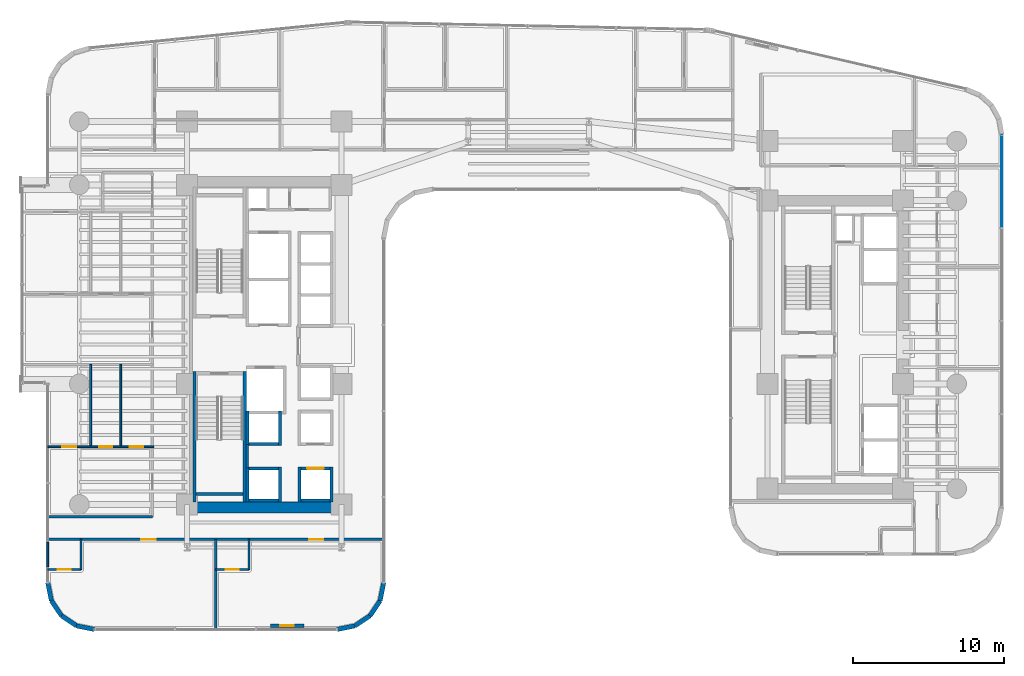
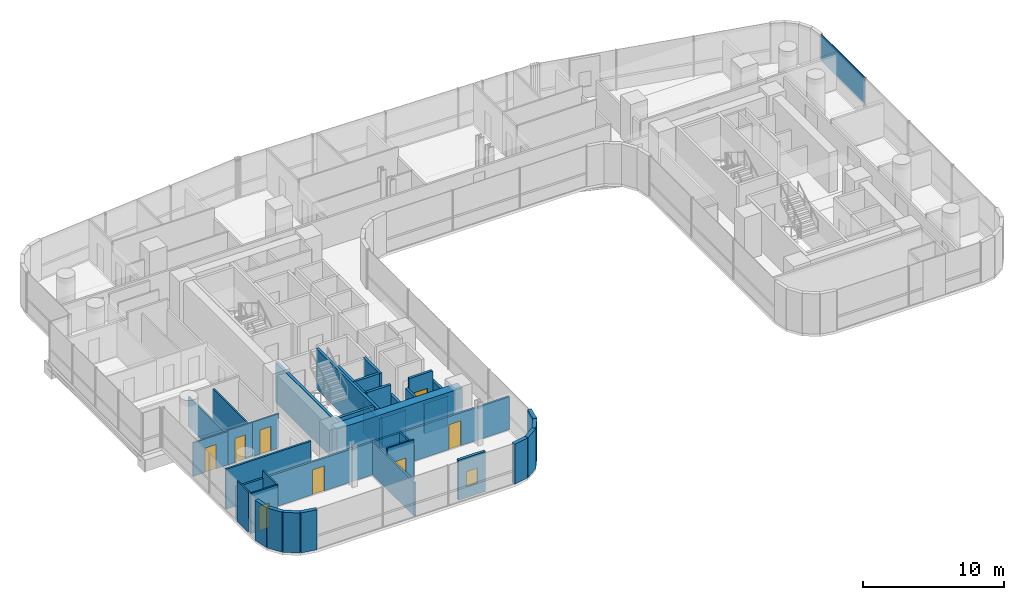
# One storey, part 29 of 40: 38 walls, 8 doors, 1 plate, 1 window, 9 openings, 1 element without a shape of its own.
"""IFC4 building model written with IfcOpenShell, lengths in metres."""

from ifc_helpers import new_model, si_unit, direction, frame, frame_2d, origin, origin_2d, place, context, subcontext, project, spatial, rectangle, extrude, source, transform, mapped, material, layer, layer_set, type_object, element, fill, aggregate, save


model = new_model("IFC4")

# Units and contexts
model_context = context("Model", 3, precision=1e-05, world=origin(), true_north=direction((0.0, 1.0)))
body_context = subcontext(model_context, "Body", "Model", "MODEL_VIEW")
ifc_project = project(units=[si_unit("LENGTHUNIT", "METRE"), si_unit("AREAUNIT", "SQUARE_METRE"), si_unit("VOLUMEUNIT", "CUBIC_METRE"), si_unit("PLANEANGLEUNIT", "RADIAN"), si_unit("MASSUNIT", "GRAM", prefix="KILO")], contexts=[model_context])

# Site, building, storey
site_placement = place(None, origin())
site = spatial("IfcSite", under=ifc_project, at=site_placement, CompositionType="ELEMENT")
building_placement = place(site_placement, origin())
building = spatial("IfcBuilding", under=site, at=building_placement, Name="Valdorenza Pilgrim Sanctuary Tower", CompositionType="ELEMENT")
storey_placement = place(building_placement, frame((0.0, 0.0, 44.5)))
storey = spatial("IfcBuildingStorey", under=building, at=storey_placement, Name="L10", CompositionType="ELEMENT", Elevation=44.5)

# Curtain wall, plate
ifc_material_1 = material(Name="Curtain-wall IGU glazing", Category="glass")
curtain_wall_type = type_object("IfcCurtainWallType", Name="CW-SYS-03", PredefinedType="NOTDEFINED", material=ifc_material_1)
curtain_wall_placement = place(storey_placement, origin())
curtain_wall = element("IfcCurtainWall", 1, at=curtain_wall_placement, inside=storey, type_object=curtain_wall_type, Name="L10 Curtain Wall CW-L10-1-21", PredefinedType="NOTDEFINED")
ifc_material_2 = material(Name="Ceramic-fritted low-E IGU glazing", Category="glass")
ifc_layer_1 = layer(ifc_material_2, 0.035888671875, Name="Ceramic-fritted low-E IGU glazing")
ifc_layer_set_1 = layer_set([ifc_layer_1], Name="Ceramic-fritted low-E IGU glazing")
plate_type = type_object("IfcPlateType", Name="CW-GLZ-IGU", PredefinedType="USERDEFINED", material=ifc_layer_set_1)
shared_shape = source(origin(), body_context, "Body", "SweptSolid", [
    extrude(rectangle(XDim=6.16357421875, YDim=0.050048828125, at=origin_2d()), origin(), (0.0, 0.0, 1.0), 2.320068359375),
])
plate_placement = place(storey_placement, frame((31.389892578125, 10.853271484375, 1.1298828125), z_axis=(0.0, 0.0, 1.0), x_axis=(0.0, -1.0, 0.0)))
plate = element("IfcPlate", 2, at=plate_placement, type_object=plate_type, Name="CW-L10-1-21 Facade Panel 1", ObjectType="GLAZING", PredefinedType="USERDEFINED", context=body_context, shape_type="MappedRepresentation", body=[
    mapped(shared_shape, transform((0.0, 0.0, 0.0), x_axis=(1.0, 0.0, 0.0), y_axis=(0.0, 1.0, 0.0), z_axis=(0.0, 0.0, 1.0), scale=1.0)),
])
aggregate(curtain_wall, [plate])

# Wall
ifc_material_3 = material(Name="Acoustic twin-stud gypsum partition", Category="gypsum")
ifc_layer_2 = layer(ifc_material_3, 0.159912109375, Name="Acoustic twin-stud gypsum partition")
ifc_layer_set_2 = layer_set([ifc_layer_2], Name="Acoustic twin-stud gypsum partition")
wall_type_1 = type_object("IfcWallType", Name="WAL-COR-160", PredefinedType="PARTITIONING", material=ifc_layer_set_2)
wall_1_placement = place(storey_placement, frame((-18.64990234375, -8.179931640625, 0.0), z_axis=(0.0, 0.0, 1.0), x_axis=(0.0, 1.0, 0.0)))
element("IfcWall", 3, at=wall_1_placement, inside=storey, type_object=wall_type_1, Name="L10 Core A South Lift Hall West Wall", PredefinedType="PARTITIONING", context=body_context, shape_type="SweptSolid", body=[
    extrude(rectangle(XDim=1.559814453125, YDim=0.159912109375, at=frame_2d((0.77978515625, 0.0))), origin(), (0.0, 0.0, 1.0), 3.4599609375),
])

# Wall, openings, doors
wall_2_placement = place(storey_placement, frame((-31.889892578125, -12.919921875, 0.0), z_axis=(0.0, 0.0, 1.0), x_axis=(1.0, 0.0, 0.0)))
wall_2 = element("IfcWall", 4, at=wall_2_placement, inside=storey, type_object=wall_type_1, Name="L10 South Wing Corridor Wall", PredefinedType="PARTITIONING", context=body_context, shape_type="SweptSolid", body=[
    extrude(rectangle(XDim=22.27978515625, YDim=0.159912109375, at=frame_2d((11.139892578125, 0.0))), origin(), (0.0, 0.0, 1.0), 2.833984375),
])
opening_1_placement = place(wall_2_placement, frame((6.195068359375, 0.0, 0.0)))
opening_1 = element("IfcOpeningElement", 5, at=opening_1_placement, cuts=wall_2, Name="Opening DR-UN1", PredefinedType="OPENING", context=body_context, shape_type="SweptSolid", body=[
    extrude(rectangle(XDim=0.949951171875, YDim=2.14990234375, at=frame_2d((0.47509765625, 1.074951171875))), frame((0.0, 0.0947265625, 0.0), z_axis=(0.0, -1.0, 0.0), x_axis=(1.0, 0.0, 0.0)), (0.0, 0.0, 1.0), 0.189697265625),
])
opening_2_placement = place(wall_2_placement, frame((17.3349609375, 0.0, 0.0)))
opening_2 = element("IfcOpeningElement", 6, at=opening_2_placement, cuts=wall_2, Name="Opening DR-UN1", PredefinedType="OPENING", context=body_context, shape_type="SweptSolid", body=[
    extrude(rectangle(XDim=0.949951171875, YDim=2.14990234375, at=frame_2d((0.47509765625, 1.074951171875))), frame((0.0, 0.0947265625, 0.0), z_axis=(0.0, -1.0, 0.0), x_axis=(1.0, 0.0, 0.0)), (0.0, 0.0, 1.0), 0.189697265625),
])
ifc_material_4 = material(Name="Solid-core European oak timber", Category="wood")
door_type_1 = type_object("IfcDoorType", Name="DR-UNIT-950", OperationType="NOTDEFINED", PredefinedType="DOOR", material=ifc_material_4)
door_1_placement = place(opening_1_placement, frame((0.949951171875, 0.0, 0.0), z_axis=(0.0, 0.0, 1.0), x_axis=(-1.0, 0.0, 0.0)))
door_1 = element("IfcDoor", 7, at=door_1_placement, inside=storey, type_object=door_type_1, Name="L10 South Sanctuary Guest Room L10-S1A Entrance Door", OperationType="SINGLE_SWING_LEFT", OverallHeight=2.14990234375, OverallWidth=0.949951171875, PredefinedType="DOOR", context=body_context, shape_type="SweptSolid", body=[
    extrude(rectangle(XDim=0.949951171875, YDim=2.14990234375, at=frame_2d((0.47509765625, 1.074951171875))), frame((0.0, 0.02490234375, 0.0), z_axis=(0.0, -1.0, 0.0), x_axis=(1.0, 0.0, 0.0)), (0.0, 0.0, 1.0), 0.050048828125),
])
fill(opening_1, door_1)
door_2_placement = place(opening_2_placement, frame((0.949951171875, 0.0, 0.0), z_axis=(0.0, 0.0, 1.0), x_axis=(-1.0, 0.0, 0.0)))
door_2 = element("IfcDoor", 8, at=door_2_placement, inside=storey, type_object=door_type_1, Name="L10 South Sanctuary Guest Room L10-S1B Entrance Door", OperationType="SINGLE_SWING_LEFT", OverallHeight=2.14990234375, OverallWidth=0.949951171875, PredefinedType="DOOR", context=body_context, shape_type="SweptSolid", body=[
    extrude(rectangle(XDim=0.949951171875, YDim=2.14990234375, at=frame_2d((0.47509765625, 1.074951171875))), frame((0.0, 0.02490234375, 0.0), z_axis=(0.0, -1.0, 0.0), x_axis=(1.0, 0.0, 0.0)), (0.0, 0.0, 1.0), 0.050048828125),
])
fill(opening_2, door_2)

# Walls
wall_3_placement = place(storey_placement, frame((-31.889892578125, -11.419921875, 0.0), z_axis=(0.0, 0.0, 1.0), x_axis=(1.0, 0.0, 0.0)))
element("IfcWall", 9, at=wall_3_placement, inside=storey, type_object=wall_type_1, Name="L10 South-West Corridor North Wall", PredefinedType="PARTITIONING", context=body_context, shape_type="SweptSolid", body=[
    extrude(rectangle(XDim=6.93994140625, YDim=0.159912109375, at=frame_2d((3.469970703125, 0.0))), origin(), (0.0, 0.0, 1.0), 3.4599609375),
])
ifc_material_5 = material(Name="Concrete C60/75", Category="concrete")
ifc_layer_3 = layer(ifc_material_5, 0.699951171875, Name="Concrete C60/75")
ifc_layer_set_3 = layer_set([ifc_layer_3], Name="Concrete C60/75")
wall_type_2 = type_object("IfcWallType", Name="WAL-COR-700", PredefinedType="SHEAR", material=ifc_layer_set_3)
wall_4_placement = place(storey_placement, frame((-22.64990234375, -10.800048828125, 0.0), z_axis=(0.0, 0.0, 1.0), x_axis=(1.0, 0.0, 0.0)))
element("IfcWall", 10, at=wall_4_placement, inside=storey, type_object=wall_type_2, Name="L10 Split Core A Shear Wall S", PredefinedType="SHEAR", context=body_context, shape_type="SweptSolid", body=[
    extrude(rectangle(XDim=10.25, YDim=0.699951171875, at=frame_2d((5.125, 0.0))), origin(), (0.0, 0.0, 1.0), 3.4599609375),
])
ifc_material_6 = material(Name="Honed travertine limestone", Category="masonry")
ifc_layer_4 = layer(ifc_material_6, 0.300048828125, Name="Honed travertine limestone")
ifc_layer_set_4 = layer_set([ifc_layer_4], Name="Honed travertine limestone")
wall_type_3 = type_object("IfcWallType", Name="WAL-EXT-300", PredefinedType="SOLIDWALL", material=ifc_layer_set_4)
wall_5_placement = place(storey_placement, frame((-9.610107421875, -15.789306640625, 0.0), z_axis=(0.0, 0.0, 1.0), x_axis=(-0.194996050505, -0.980804027463, 0.0)))
element("IfcWall", 11, at=wall_5_placement, inside=storey, type_object=wall_type_3, Name="L10 Rounded Wind-Corner Stone Pier 42", PredefinedType="SOLIDWALL", context=body_context, shape_type="SweptSolid", body=[
    extrude(rectangle(XDim=1.2158203125, YDim=0.300048828125, at=frame_2d((0.60791015625, 0.0))), origin(), (0.0, 0.0, 1.0), 3.4599609375),
])
for number, where, z_axis, x_axis, name in (
    (12, (-9.84716796875, -16.981689453125, 0.0), (0.0, 0.0, 1.0), (-0.555635100982, -0.831426265255, 0.0), "L10 Rounded Wind-Corner Stone Pier 43"),
    (13, (-10.5166015625, -17.9833984375, 0.0), (0.0, 0.0, 1.0), (-0.831426265255, -0.555635100982, 0.0), "L10 Rounded Wind-Corner Stone Pier 44"),
):
    element("IfcWall", number, at=place(storey_placement, frame(where, z_axis=z_axis, x_axis=x_axis)), inside=storey, type_object=wall_type_3, Name=name, PredefinedType="SOLIDWALL", context=body_context, shape_type="SweptSolid", body=[
        extrude(rectangle(XDim=1.204833984375, YDim=0.300048828125, at=frame_2d((0.6025390625, 0.0))), origin(), (0.0, 0.0, 1.0), 3.4599609375),
    ])
wall_6_placement = place(storey_placement, frame((-11.518310546875, -18.65283203125, 0.0), z_axis=(0.0, 0.0, 1.0), x_axis=(-0.980804027463, -0.194996050505, 0.0)))
element("IfcWall", 14, at=wall_6_placement, inside=storey, type_object=wall_type_3, Name="L10 Rounded Wind-Corner Stone Pier 45", PredefinedType="SOLIDWALL", context=body_context, shape_type="SweptSolid", body=[
    extrude(rectangle(XDim=1.2158203125, YDim=0.300048828125, at=frame_2d((0.60791015625, 0.0))), origin(), (0.0, 0.0, 1.0), 3.4599609375),
])

# Wall, opening, window
wall_7_placement = place(storey_placement, frame((-14.910888671875, -18.64990234375, 0.0), z_axis=(0.0, 0.0, 1.0), x_axis=(-1.0, 0.0, 0.0)))
wall_7 = element("IfcWall", 15, at=wall_7_placement, inside=storey, type_object=wall_type_3, Name="L10 Operable Ventilation Sash Jamb Pier", PredefinedType="SOLIDWALL", context=body_context, shape_type="SweptSolid", body=[
    extrude(rectangle(XDim=2.199951171875, YDim=0.219970703125, at=frame_2d((1.10009765625, 0.0))), origin(), (0.0, 0.0, 1.0), 3.4599609375),
])
opening_3_placement = place(wall_7_placement, frame((0.64990234375, 0.0, 0.949951171875)))
opening_3 = element("IfcOpeningElement", 16, at=opening_3_placement, cuts=wall_7, Name="Opening WN-OP1", PredefinedType="OPENING", context=body_context, shape_type="SweptSolid", body=[
    extrude(rectangle(XDim=0.89990234375, YDim=1.300048828125, at=frame_2d((0.449951171875, 0.64990234375))), frame((0.0, 0.125, 0.0), z_axis=(0.0, -1.0, 0.0), x_axis=(1.0, 0.0, 0.0)), (0.0, 0.0, 1.0), 0.249755859375),
])
window_type = type_object("IfcWindowType", Name="WIN-OPN-900", PartitioningType="SINGLE_PANEL", PredefinedType="WINDOW", material=ifc_material_2)
window_placement = place(opening_3_placement, origin())
window = element("IfcWindow", 17, at=window_placement, inside=storey, type_object=window_type, Name="L10 Parallel-Pop-Out Operable Facade Panel", OverallHeight=1.300048828125, OverallWidth=0.89990234375, PartitioningType="SINGLE_PANEL", PredefinedType="WINDOW", context=body_context, shape_type="SweptSolid", body=[
    extrude(rectangle(XDim=0.89990234375, YDim=1.300048828125, at=frame_2d((0.449951171875, 0.64990234375))), frame((0.0, 0.030029296875, 0.0), z_axis=(0.0, -1.0, 0.0), x_axis=(1.0, 0.0, 0.0)), (0.0, 0.0, 1.0), 0.06005859375),
])
fill(opening_3, window)

# Walls
wall_8_placement = place(storey_placement, frame((-28.789306640625, -18.889892578125, 0.0), z_axis=(0.0, 0.0, 1.0), x_axis=(-0.980804027463, 0.194996050505, 0.0)))
element("IfcWall", 18, at=wall_8_placement, inside=storey, type_object=wall_type_3, Name="L10 Rounded Wind-Corner Stone Pier 47", PredefinedType="SOLIDWALL", context=body_context, shape_type="SweptSolid", body=[
    extrude(rectangle(XDim=1.2158203125, YDim=0.300048828125, at=frame_2d((0.60791015625, 0.0))), origin(), (0.0, 0.0, 1.0), 3.4599609375),
])
for number, where, z_axis, x_axis, name in (
    (19, (-29.981689453125, -18.65283203125, 0.0), (0.0, 0.0, 1.0), (-0.831426265255, 0.555635100982, 0.0), "L10 Rounded Wind-Corner Stone Pier 48"),
    (20, (-30.9833984375, -17.9833984375, 0.0), (0.0, 0.0, 1.0), (-0.555635100982, 0.831426265255, 0.0), "L10 Rounded Wind-Corner Stone Pier 49"),
):
    element("IfcWall", number, at=place(storey_placement, frame(where, z_axis=z_axis, x_axis=x_axis)), inside=storey, type_object=wall_type_3, Name=name, PredefinedType="SOLIDWALL", context=body_context, shape_type="SweptSolid", body=[
        extrude(rectangle(XDim=1.204833984375, YDim=0.300048828125, at=frame_2d((0.6025390625, 0.0))), origin(), (0.0, 0.0, 1.0), 3.4599609375),
    ])
wall_9_placement = place(storey_placement, frame((-31.65283203125, -16.981689453125, 0.0), z_axis=(0.0, 0.0, 1.0), x_axis=(-0.194996050505, 0.980804027463, 0.0)))
element("IfcWall", 21, at=wall_9_placement, inside=storey, type_object=wall_type_3, Name="L10 Rounded Wind-Corner Stone Pier 50", PredefinedType="SOLIDWALL", context=body_context, shape_type="SweptSolid", body=[
    extrude(rectangle(XDim=1.2158203125, YDim=0.300048828125, at=frame_2d((0.60791015625, 0.0))), origin(), (0.0, 0.0, 1.0), 3.4599609375),
])
ifc_material_7 = material(Name="Moisture-resistant gypsum partition", Category="gypsum")
ifc_layer_5 = layer(ifc_material_7, 0.1201171875, Name="Moisture-resistant gypsum partition")
ifc_layer_set_5 = layer_set([ifc_layer_5], Name="Moisture-resistant gypsum partition")
wall_type_4 = type_object("IfcWallType", Name="WAL-INT-120", PredefinedType="PARTITIONING", material=ifc_layer_set_5)
for number, where, z_axis, x_axis, name in (
    (22, (-27.050048828125, -6.769287109375, 0.0), (0.0, 0.0, 1.0), (0.0, 1.0, 0.0), "L10 Pilgrim Family Flat L10-W1 Bath-Kitchen Wall"),
    (23, (-29.050048828125, -6.769287109375, 0.0), (0.0, 0.0, 1.0), (0.0, 1.0, 0.0), "L10 Pilgrim Family Flat L10-W1 Kitchen-Bedroom Wall"),
):
    element("IfcWall", number, at=place(storey_placement, frame(where, z_axis=z_axis, x_axis=x_axis)), inside=storey, type_object=wall_type_4, Name=name, PredefinedType="PARTITIONING", context=body_context, shape_type="SweptSolid", body=[
        extrude(rectangle(XDim=5.459228515625, YDim=0.1201171875, at=frame_2d((2.7294921875, 0.0))), origin(), (0.0, 0.0, 1.0), 2.5830078125),
    ])

# Wall, opening, door
wall_10_placement = place(storey_placement, frame((-29.050048828125, -6.769287109375, 0.0), z_axis=(0.0, 0.0, 1.0), x_axis=(1.0, 0.0, 0.0)))
wall_10 = element("IfcWall", 24, at=wall_10_placement, inside=storey, type_object=wall_type_4, Name="L10 Pilgrim Family Flat L10-W1 Bathroom Door Wall", PredefinedType="PARTITIONING", context=body_context, shape_type="SweptSolid", body=[
    extrude(rectangle(XDim=2.0, YDim=0.1201171875, at=frame_2d((1.0, 0.0))), origin(), (0.0, 0.0, 1.0), 2.97900390625),
])
opening_4_placement = place(wall_10_placement, frame((0.574951171875, 0.0, 0.0)))
opening_4 = element("IfcOpeningElement", 25, at=opening_4_placement, cuts=wall_10, Name="Opening DR-WC1", PredefinedType="OPENING", context=body_context, shape_type="SweptSolid", body=[
    extrude(rectangle(XDim=0.85009765625, YDim=2.10009765625, at=frame_2d((0.425048828125, 1.050048828125))), frame((0.0, 0.074951171875, 0.0), z_axis=(0.0, -1.0, 0.0), x_axis=(1.0, 0.0, 0.0)), (0.0, 0.0, 1.0), 0.14990234375),
])
ifc_material_8 = material(Name="Moisture-resistant lacquered timber", Category="wood")
door_type_2 = type_object("IfcDoorType", Name="DR-BATH-850", OperationType="NOTDEFINED", PredefinedType="DOOR", material=ifc_material_8)
door_3_placement = place(opening_4_placement, origin())
door_3 = element("IfcDoor", 26, at=door_3_placement, inside=storey, type_object=door_type_2, Name="L10 Pilgrim Family Flat L10-W1 Bathroom Door", OperationType="SINGLE_SWING_RIGHT", OverallHeight=2.10009765625, OverallWidth=0.85009765625, PredefinedType="DOOR", context=body_context, shape_type="SweptSolid", body=[
    extrude(rectangle(XDim=0.85009765625, YDim=2.10009765625, at=frame_2d((0.425048828125, 1.050048828125))), frame((0.0, 0.02490234375, 0.0), z_axis=(0.0, -1.0, 0.0), x_axis=(1.0, 0.0, 0.0)), (0.0, 0.0, 1.0), 0.050048828125),
])
fill(opening_4, door_3)

wall_11_placement = place(storey_placement, frame((-27.050048828125, -6.769287109375, 0.0), z_axis=(0.0, 0.0, 1.0), x_axis=(1.0, 0.0, 0.0)))
wall_11 = element("IfcWall", 27, at=wall_11_placement, inside=storey, type_object=wall_type_4, Name="L10 Pilgrim Family Flat L10-W1 Kitchen Door Wall", PredefinedType="PARTITIONING", context=body_context, shape_type="SweptSolid", body=[
    extrude(rectangle(XDim=2.179931640625, YDim=0.1201171875, at=frame_2d((1.08984375, 0.0))), origin(), (0.0, 0.0, 1.0), 2.97900390625),
])
opening_5_placement = place(wall_11_placement, frame((0.60009765625, 0.0, 0.0)))
opening_5 = element("IfcOpeningElement", 28, at=opening_5_placement, cuts=wall_11, Name="Opening DR-RM1", PredefinedType="OPENING", context=body_context, shape_type="SweptSolid", body=[
    extrude(rectangle(XDim=0.89990234375, YDim=2.10009765625, at=frame_2d((0.449951171875, 1.050048828125))), frame((0.0, 0.074951171875, 0.0), z_axis=(0.0, -1.0, 0.0), x_axis=(1.0, 0.0, 0.0)), (0.0, 0.0, 1.0), 0.14990234375),
])
door_type_3 = type_object("IfcDoorType", Name="DR-ROOM-900", OperationType="NOTDEFINED", PredefinedType="DOOR", material=ifc_material_4)
door_4_placement = place(opening_5_placement, origin())
door_4 = element("IfcDoor", 29, at=door_4_placement, inside=storey, type_object=door_type_3, Name="L10 Pilgrim Family Flat L10-W1 Kitchen Door", OperationType="SINGLE_SWING_LEFT", OverallHeight=2.10009765625, OverallWidth=0.89990234375, PredefinedType="DOOR", context=body_context, shape_type="SweptSolid", body=[
    extrude(rectangle(XDim=0.89990234375, YDim=2.10009765625, at=frame_2d((0.449951171875, 1.050048828125))), frame((0.0, 0.02490234375, 0.0), z_axis=(0.0, -1.0, 0.0), x_axis=(1.0, 0.0, 0.0)), (0.0, 0.0, 1.0), 0.050048828125),
])
fill(opening_5, door_4)

wall_12_placement = place(storey_placement, frame((-31.889892578125, -6.769287109375, 0.0), z_axis=(0.0, 0.0, 1.0), x_axis=(1.0, 0.0, 0.0)))
wall_12 = element("IfcWall", 30, at=wall_12_placement, inside=storey, type_object=wall_type_4, Name="L10 Pilgrim Family Flat L10-W1 Bedroom Door Wall", PredefinedType="PARTITIONING", context=body_context, shape_type="SweptSolid", body=[
    extrude(rectangle(XDim=2.83984375, YDim=0.1201171875, at=frame_2d((1.419921875, 0.0))), origin(), (0.0, 0.0, 1.0), 2.89599609375),
])
opening_6_placement = place(wall_12_placement, frame((0.969970703125, 0.0, 0.0)))
opening_6 = element("IfcOpeningElement", 31, at=opening_6_placement, cuts=wall_12, Name="Opening DR-RM1", PredefinedType="OPENING", context=body_context, shape_type="SweptSolid", body=[
    extrude(rectangle(XDim=0.89990234375, YDim=2.10009765625, at=frame_2d((0.449951171875, 1.050048828125))), frame((0.0, 0.074951171875, 0.0), z_axis=(0.0, -1.0, 0.0), x_axis=(1.0, 0.0, 0.0)), (0.0, 0.0, 1.0), 0.14990234375),
])
door_5_placement = place(opening_6_placement, origin())
door_5 = element("IfcDoor", 32, at=door_5_placement, inside=storey, type_object=door_type_3, Name="L10 Pilgrim Family Flat L10-W1 Bedroom Door", OperationType="SINGLE_SWING_RIGHT", OverallHeight=2.10009765625, OverallWidth=0.89990234375, PredefinedType="DOOR", context=body_context, shape_type="SweptSolid", body=[
    extrude(rectangle(XDim=0.89990234375, YDim=2.10009765625, at=frame_2d((0.449951171875, 1.050048828125))), frame((0.0, 0.02490234375, 0.0), z_axis=(0.0, -1.0, 0.0), x_axis=(1.0, 0.0, 0.0)), (0.0, 0.0, 1.0), 0.050048828125),
])
fill(opening_6, door_5)

# Wall
wall_13_placement = place(storey_placement, frame((-29.68994140625, -14.919921875, 0.0), z_axis=(0.0, 0.0, 1.0), x_axis=(0.0, 1.0, 0.0)))
element("IfcWall", 33, at=wall_13_placement, inside=storey, type_object=wall_type_4, Name="L10 South Sanctuary Guest Room L10-S1A En-suite East Wall", PredefinedType="PARTITIONING", context=body_context, shape_type="SweptSolid", body=[
    extrude(rectangle(XDim=2.0, YDim=0.1201171875, at=frame_2d((1.0, 0.0))), origin(), (0.0, 0.0, 1.0), 3.4599609375),
])

# Wall, opening, door
wall_14_placement = place(storey_placement, frame((-31.889892578125, -14.919921875, 0.0), z_axis=(0.0, 0.0, 1.0), x_axis=(1.0, 0.0, 0.0)))
wall_14 = element("IfcWall", 34, at=wall_14_placement, inside=storey, type_object=wall_type_4, Name="L10 South Sanctuary Guest Room L10-S1A En-suite Door Wall", PredefinedType="PARTITIONING", context=body_context, shape_type="SweptSolid", body=[
    extrude(rectangle(XDim=2.199951171875, YDim=0.1201171875, at=frame_2d((1.10009765625, 0.0))), origin(), (0.0, 0.0, 1.0), 3.4599609375),
])
opening_7_placement = place(wall_14_placement, frame((0.675048828125, 0.0, 0.0)))
opening_7 = element("IfcOpeningElement", 35, at=opening_7_placement, cuts=wall_14, Name="Opening DR-WC1", PredefinedType="OPENING", context=body_context, shape_type="SweptSolid", body=[
    extrude(rectangle(XDim=0.85009765625, YDim=2.10009765625, at=frame_2d((0.425048828125, 1.050048828125))), frame((0.0, 0.074951171875, 0.0), z_axis=(0.0, -1.0, 0.0), x_axis=(1.0, 0.0, 0.0)), (0.0, 0.0, 1.0), 0.14990234375),
])
door_6_placement = place(opening_7_placement, origin())
door_6 = element("IfcDoor", 36, at=door_6_placement, inside=storey, type_object=door_type_2, Name="L10 South Sanctuary Guest Room L10-S1A En-suite Bathroom Door", OperationType="SINGLE_SWING_RIGHT", OverallHeight=2.10009765625, OverallWidth=0.85009765625, PredefinedType="DOOR", context=body_context, shape_type="SweptSolid", body=[
    extrude(rectangle(XDim=0.85009765625, YDim=2.10009765625, at=frame_2d((0.425048828125, 1.050048828125))), frame((0.0, 0.02490234375, 0.0), z_axis=(0.0, -1.0, 0.0), x_axis=(1.0, 0.0, 0.0)), (0.0, 0.0, 1.0), 0.050048828125),
])
fill(opening_7, door_6)

# Walls
wall_15_placement = place(storey_placement, frame((-31.889892578125, -14.739990234375, 0.0), z_axis=(0.0, 0.0, 1.0), x_axis=(0.0, 1.0, 0.0)))
element("IfcWall", 37, at=wall_15_placement, inside=storey, type_object=wall_type_4, Name="L10 SW-FL1A-ENS Enclosure Wall W", PredefinedType="PARTITIONING", context=body_context, shape_type="SweptSolid", body=[
    extrude(rectangle(XDim=1.619873046875, YDim=0.1201171875, at=frame_2d((0.81005859375, 0.0))), origin(), (0.0, 0.0, 1.0), 3.4599609375),
])
wall_16_placement = place(storey_placement, frame((-18.550048828125, -14.919921875, 0.0), z_axis=(0.0, 0.0, 1.0), x_axis=(0.0, 1.0, 0.0)))
element("IfcWall", 38, at=wall_16_placement, inside=storey, type_object=wall_type_4, Name="L10 South Sanctuary Guest Room L10-S1B En-suite East Wall", PredefinedType="PARTITIONING", context=body_context, shape_type="SweptSolid", body=[
    extrude(rectangle(XDim=2.0, YDim=0.1201171875, at=frame_2d((1.0, 0.0))), origin(), (0.0, 0.0, 1.0), 2.89599609375),
])

# Wall, opening, door
wall_17_placement = place(storey_placement, frame((-20.75, -14.919921875, 0.0), z_axis=(0.0, 0.0, 1.0), x_axis=(1.0, 0.0, 0.0)))
wall_17 = element("IfcWall", 39, at=wall_17_placement, inside=storey, type_object=wall_type_4, Name="L10 South Sanctuary Guest Room L10-S1B En-suite Door Wall", PredefinedType="PARTITIONING", context=body_context, shape_type="SweptSolid", body=[
    extrude(rectangle(XDim=2.199951171875, YDim=0.1201171875, at=frame_2d((1.10009765625, 0.0))), origin(), (0.0, 0.0, 1.0), 3.4599609375),
])
opening_8_placement = place(wall_17_placement, frame((0.675048828125, 0.0, 0.0)))
opening_8 = element("IfcOpeningElement", 40, at=opening_8_placement, cuts=wall_17, Name="Opening DR-WC1", PredefinedType="OPENING", context=body_context, shape_type="SweptSolid", body=[
    extrude(rectangle(XDim=0.85009765625, YDim=2.10009765625, at=frame_2d((0.425048828125, 1.050048828125))), frame((0.0, 0.074951171875, 0.0), z_axis=(0.0, -1.0, 0.0), x_axis=(1.0, 0.0, 0.0)), (0.0, 0.0, 1.0), 0.14990234375),
])
door_7_placement = place(opening_8_placement, origin())
door_7 = element("IfcDoor", 41, at=door_7_placement, inside=storey, type_object=door_type_2, Name="L10 South Sanctuary Guest Room L10-S1B En-suite Bathroom Door", OperationType="SINGLE_SWING_RIGHT", OverallHeight=2.10009765625, OverallWidth=0.85009765625, PredefinedType="DOOR", context=body_context, shape_type="SweptSolid", body=[
    extrude(rectangle(XDim=0.85009765625, YDim=2.10009765625, at=frame_2d((0.425048828125, 1.050048828125))), frame((0.0, 0.02490234375, 0.0), z_axis=(0.0, -1.0, 0.0), x_axis=(1.0, 0.0, 0.0)), (0.0, 0.0, 1.0), 0.050048828125),
])
fill(opening_8, door_7)

# Walls
ifc_material_9 = material(Name="Autoclaved aerated concrete blockwork", Category="masonry")
ifc_layer_6 = layer(ifc_material_9, 0.199951171875, Name="Autoclaved aerated concrete blockwork")
ifc_layer_set_6 = layer_set([ifc_layer_6], Name="Autoclaved aerated concrete blockwork")
wall_type_5 = type_object("IfcWallType", Name="WAL-SHF-200", PredefinedType="MOVABLE", material=ifc_layer_set_6)
for number, where, z_axis, x_axis, name in (
    (42, (-15.199951171875, -10.449951171875, 0.0), (0.0, 0.0, 1.0), (0.0, 1.0, 0.0), "L10 Lift PL-01 Hoistway Wall West"),
    (43, (-13.080078125, -10.449951171875, 0.0), (0.0, 0.0, 1.0), (0.0, 1.0, 0.0), "L10 Lift PL-01 Hoistway Wall East"),
):
    element("IfcWall", number, at=place(storey_placement, frame(where, z_axis=z_axis, x_axis=x_axis)), inside=storey, type_object=wall_type_5, Name=name, PredefinedType="MOVABLE", context=body_context, shape_type="SweptSolid", body=[
        extrude(rectangle(XDim=2.349853515625, YDim=0.199951171875, at=frame_2d((1.1748046875, 0.0))), origin(), (0.0, 0.0, 1.0), 2.5830078125),
    ])
wall_18_placement = place(storey_placement, frame((-15.10009765625, -10.35009765625, 0.0), z_axis=(0.0, 0.0, 1.0), x_axis=(1.0, 0.0, 0.0)))
element("IfcWall", 44, at=wall_18_placement, inside=storey, type_object=wall_type_5, Name="L10 Lift PL-01 Hoistway Wall South", PredefinedType="MOVABLE", context=body_context, shape_type="SweptSolid", body=[
    extrude(rectangle(XDim=1.920166015625, YDim=0.199951171875, at=frame_2d((0.9599609375, 0.0))), origin(), (0.0, 0.0, 1.0), 2.5830078125),
])

# Wall, opening, door
wall_19_placement = place(storey_placement, frame((-15.10009765625, -8.199951171875, 0.0), z_axis=(0.0, 0.0, 1.0), x_axis=(1.0, 0.0, 0.0)))
wall_19 = element("IfcWall", 45, at=wall_19_placement, inside=storey, type_object=wall_type_5, Name="L10 Lift PL-01 Hoistway Wall North", PredefinedType="MOVABLE", context=body_context, shape_type="SweptSolid", body=[
    extrude(rectangle(XDim=1.920166015625, YDim=0.199951171875, at=frame_2d((0.9599609375, 0.0))), origin(), (0.0, 0.0, 1.0), 3.4599609375),
])
opening_9_placement = place(wall_19_placement, frame((0.409912109375, 0.0, 0.0)))
opening_9 = element("IfcOpeningElement", 46, at=opening_9_placement, cuts=wall_19, Name="Opening LD-01", PredefinedType="OPENING", context=body_context, shape_type="SweptSolid", body=[
    extrude(rectangle(XDim=1.10009765625, YDim=2.10009765625, at=frame_2d((0.550048828125, 1.050048828125))), frame((0.0, 0.11474609375, 0.0), z_axis=(0.0, -1.0, 0.0), x_axis=(1.0, 0.0, 0.0)), (0.0, 0.0, 1.0), 0.229736328125),
])
ifc_material_10 = material(Name="Brushed stainless steel Grade 316", Category="steel")
door_type_4 = type_object("IfcDoorType", Name="DR-LFT-1100", OperationType="DOUBLE_DOOR_SLIDING", PredefinedType="DOOR", material=ifc_material_10)
door_8_placement = place(opening_9_placement, origin())
door_8 = element("IfcDoor", 47, at=door_8_placement, inside=storey, type_object=door_type_4, Name="L10 Lift PL-01 Sliding Landing Door", OperationType="DOUBLE_DOOR_SLIDING", OverallHeight=2.10009765625, OverallWidth=1.10009765625, PredefinedType="DOOR", context=body_context, shape_type="SweptSolid", body=[
    extrude(rectangle(XDim=1.10009765625, YDim=2.10009765625, at=frame_2d((0.550048828125, 1.050048828125))), frame((0.0, 0.02490234375, 0.0), z_axis=(0.0, -1.0, 0.0), x_axis=(1.0, 0.0, 0.0)), (0.0, 0.0, 1.0), 0.050048828125),
])
fill(opening_9, door_8)

# Walls
for number, where, z_axis, x_axis, name in (
    (48, (-18.64990234375, -10.449951171875, 0.0), (0.0, 0.0, 1.0), (0.0, 1.0, 0.0), "L10 Lift PL-05 Hoistway Wall West"),
    (49, (-16.5, -10.449951171875, 0.0), (0.0, 0.0, 1.0), (0.0, 1.0, 0.0), "L10 Lift PL-05 Hoistway Wall East"),
):
    element("IfcWall", number, at=place(storey_placement, frame(where, z_axis=z_axis, x_axis=x_axis)), inside=storey, type_object=wall_type_5, Name=name, PredefinedType="MOVABLE", context=body_context, shape_type="SweptSolid", body=[
        extrude(rectangle(XDim=2.349853515625, YDim=0.199951171875, at=frame_2d((1.1748046875, 0.0))), origin(), (0.0, 0.0, 1.0), 2.5830078125),
    ])
wall_20_placement = place(storey_placement, frame((-18.550048828125, -10.35009765625, 0.0), z_axis=(0.0, 0.0, 1.0), x_axis=(1.0, 0.0, 0.0)))
element("IfcWall", 50, at=wall_20_placement, inside=storey, type_object=wall_type_5, Name="L10 Lift PL-05 Hoistway Wall South", PredefinedType="MOVABLE", context=body_context, shape_type="SweptSolid", body=[
    extrude(rectangle(XDim=1.949951171875, YDim=0.199951171875, at=frame_2d((0.97509765625, 0.0))), origin(), (0.0, 0.0, 1.0), 2.5830078125),
])
wall_21_placement = place(storey_placement, frame((-18.550048828125, -8.199951171875, 0.0), z_axis=(0.0, 0.0, 1.0), x_axis=(1.0, 0.0, 0.0)))
element("IfcWall", 51, at=wall_21_placement, inside=storey, type_object=wall_type_5, Name="L10 Lift PL-05 Hoistway Wall North", PredefinedType="MOVABLE", context=body_context, shape_type="SweptSolid", body=[
    extrude(rectangle(XDim=1.949951171875, YDim=0.199951171875, at=frame_2d((0.97509765625, 0.0))), origin(), (0.0, 0.0, 1.0), 3.4599609375),
])
for number, where, z_axis, x_axis, name in (
    (52, (-18.64990234375, -6.699951171875, 0.0), (0.0, 0.0, 1.0), (0.0, 1.0, 0.0), "L10 Lift PL-11 Hoistway Wall West"),
    (53, (-16.5, -6.699951171875, 0.0), (0.0, 0.0, 1.0), (0.0, 1.0, 0.0), "L10 Lift PL-11 Hoistway Wall East"),
):
    element("IfcWall", number, at=place(storey_placement, frame(where, z_axis=z_axis, x_axis=x_axis)), inside=storey, type_object=wall_type_5, Name=name, PredefinedType="MOVABLE", context=body_context, shape_type="SweptSolid", body=[
        extrude(rectangle(XDim=2.300048828125, YDim=0.199951171875, at=frame_2d((1.14990234375, 0.0))), origin(), (0.0, 0.0, 1.0), 3.4599609375),
    ])
wall_22_placement = place(storey_placement, frame((-18.550048828125, -6.60009765625, 0.0), z_axis=(0.0, 0.0, 1.0), x_axis=(1.0, 0.0, 0.0)))
element("IfcWall", 54, at=wall_22_placement, inside=storey, type_object=wall_type_5, Name="L10 Lift PL-11 Hoistway Wall South", PredefinedType="MOVABLE", context=body_context, shape_type="SweptSolid", body=[
    extrude(rectangle(XDim=1.949951171875, YDim=0.199951171875, at=frame_2d((0.97509765625, 0.0))), origin(), (0.0, 0.0, 1.0), 3.4599609375),
])
ifc_material_11 = material(Name="Concrete C40/50", Category="concrete")
ifc_layer_7 = layer(ifc_material_11, 0.219970703125, Name="Concrete C40/50")
ifc_layer_set_7 = layer_set([ifc_layer_7], Name="Concrete C40/50")
wall_type_6 = type_object("IfcWallType", Name="WAL-STR-SHF-220", PredefinedType="SHEAR", material=ifc_layer_set_7)
for number, where, z_axis, x_axis, name in (
    (55, (-22.159912109375, -10.449951171875, 0.0), (0.0, 0.0, 1.0), (0.0, 1.0, 0.0), "L10 ST-A2 Structural Stairwell Wall W"),
    (56, (-18.830078125, -10.449951171875, 0.0), (0.0, 0.0, 1.0), (0.0, 1.0, 0.0), "L10 ST-A2 Structural Stairwell Wall E"),
):
    element("IfcWall", number, at=place(storey_placement, frame(where, z_axis=z_axis, x_axis=x_axis)), inside=storey, type_object=wall_type_6, Name=name, PredefinedType="SHEAR", context=body_context, shape_type="SweptSolid", body=[
        extrude(rectangle(XDim=8.669921875, YDim=0.219970703125, at=frame_2d((4.3349609375, 0.0))), origin(), (0.0, 0.0, 1.0), 3.4599609375),
    ])
wall_23_placement = place(storey_placement, frame((-22.050048828125, -9.909912109375, 0.0), z_axis=(0.0, 0.0, 1.0), x_axis=(1.0, 0.0, 0.0)))
element("IfcWall", 57, at=wall_23_placement, inside=storey, type_object=wall_type_6, Name="L10 ST-A2 Structural Stairwell Wall S", PredefinedType="SHEAR", context=body_context, shape_type="SweptSolid", body=[
    extrude(rectangle(XDim=3.110107421875, YDim=0.219970703125, at=frame_2d((1.55517578125, 0.0))), origin(), (0.0, 0.0, 1.0), 3.4599609375),
])
ifc_layer_8 = layer(ifc_material_3, 0.14990234375, Name="Acoustic twin-stud gypsum partition")
ifc_layer_set_8 = layer_set([ifc_layer_8], Name="Acoustic twin-stud gypsum partition")
wall_type_7 = type_object("IfcWallType", Name="WAL-UNT-150", PredefinedType="PARTITIONING", material=ifc_layer_set_8)
wall_24_placement = place(storey_placement, frame((-20.75, -18.889892578125, 0.0), z_axis=(0.0, 0.0, 1.0), x_axis=(0.0, 1.0, 0.0)))
element("IfcWall", 58, at=wall_24_placement, inside=storey, type_object=wall_type_7, Name="L10 South Sanctuary Guest Room L10-S1 Split Wall", PredefinedType="PARTITIONING", context=body_context, shape_type="SweptSolid", body=[
    extrude(rectangle(XDim=5.969970703125, YDim=0.14990234375, at=frame_2d((2.98486328125, 0.0))), origin(), (0.0, 0.0, 1.0), 2.89599609375),
])

save(model, "model.ifc")
